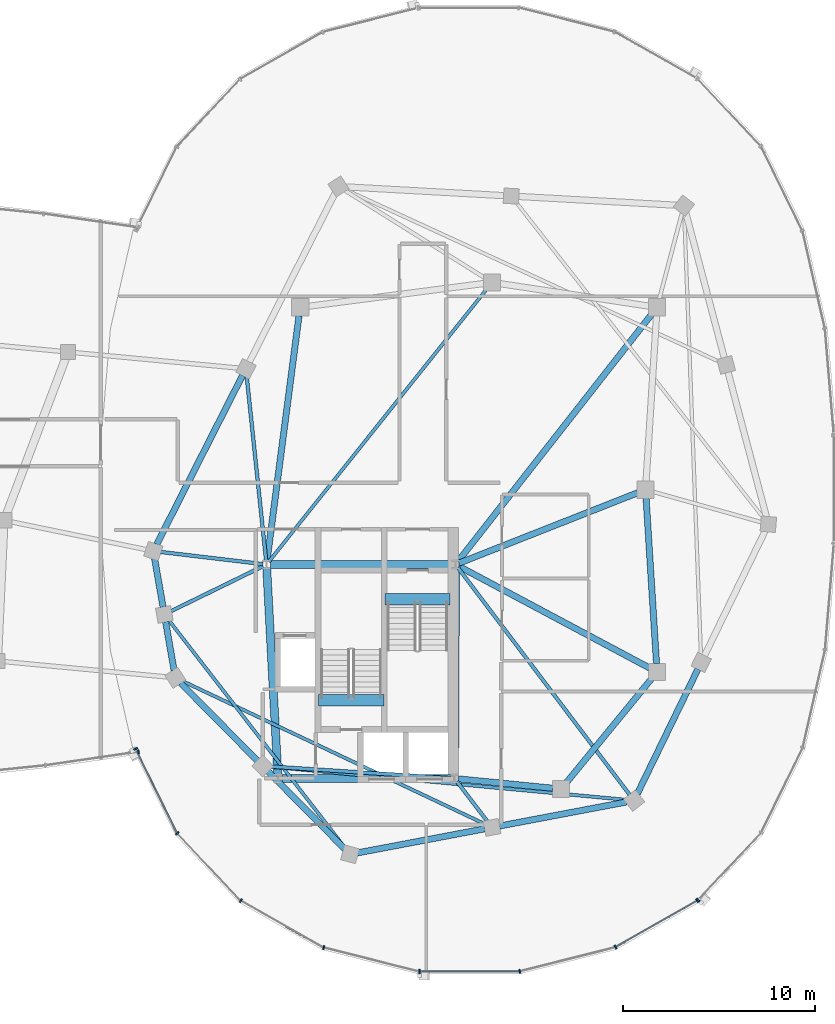
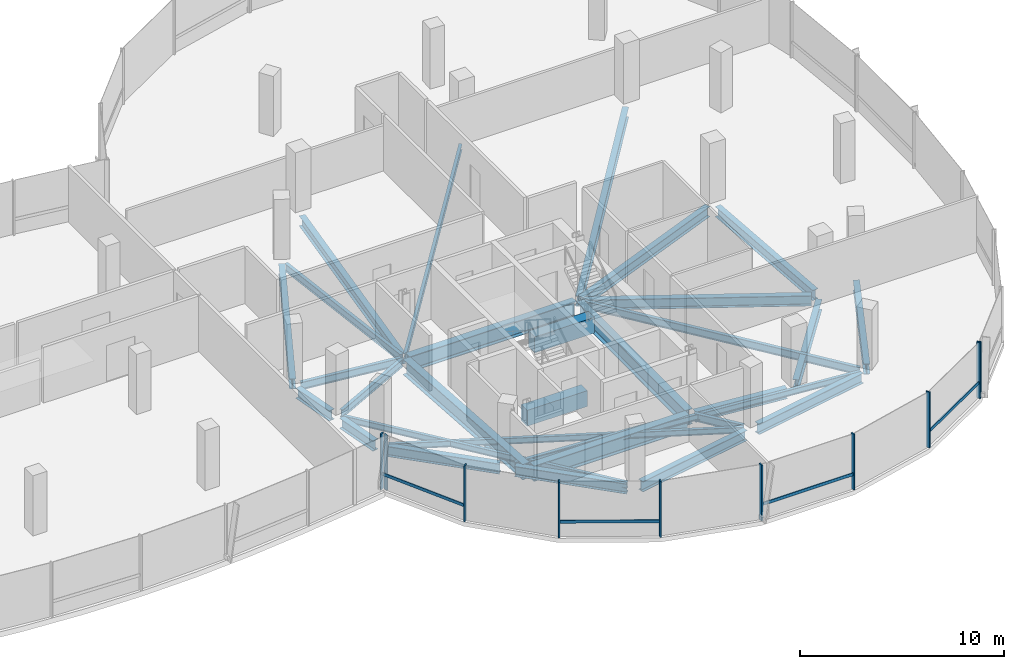
# One storey, part 8 of 25: 31 beams, 14 members, 3 elements without a shape of their own.
"""IFC4 building model written with IfcOpenShell, lengths in metres."""

from ifc_helpers import new_model, si_unit, direction, frame, origin, origin_2d, place, context, subcontext, project, spatial, rectangle, i_section, extrude, material, material_profile, profile_set, type_object, element, aggregate, save


model = new_model("IFC4")

# Units and contexts
model_context = context("Model", 3, precision=1e-05, world=origin(), true_north=direction((0.0, 1.0)))
body_context = subcontext(model_context, "Body", "Model", "MODEL_VIEW")
ifc_project = project(units=[si_unit("LENGTHUNIT", "METRE"), si_unit("AREAUNIT", "SQUARE_METRE"), si_unit("VOLUMEUNIT", "CUBIC_METRE"), si_unit("PLANEANGLEUNIT", "RADIAN"), si_unit("MASSUNIT", "GRAM", prefix="KILO"), si_unit("THERMODYNAMICTEMPERATUREUNIT", "KELVIN"), si_unit("POWERUNIT", "WATT")], contexts=[model_context])

# Site, building, storey
site_placement = place(None, origin())
site = spatial("IfcSite", under=ifc_project, at=site_placement, CompositionType="ELEMENT")
building_placement = place(site_placement, origin())
building = spatial("IfcBuilding", under=site, at=building_placement, Name="Cundina Bronze Exchange", CompositionType="ELEMENT")
storey_placement = place(building_placement, frame((0.0, 0.0, 254.0)))
storey = spatial("IfcBuildingStorey", under=building, at=storey_placement, Name="L67", CompositionType="ELEMENT", Elevation=254.0)

# Beams
ifc_material_1 = material(Name="Concrete C60/75", Category="concrete")
ifc_material_profile_1 = material_profile(ifc_material_1, rectangle(XDim=0.60009765625, YDim=0.949951171875, at=origin_2d()), Name="RC600X950", Category="concrete")
ifc_profile_set_1 = profile_set([ifc_material_profile_1], Name="Concrete C60/75")
beam_type_1 = type_object("IfcBeamType", Name="BM-COUP-RC950", PredefinedType="LINTEL", material=ifc_profile_set_1)
beam_1_placement = place(storey_placement, frame((27.6201171875, -5.719970703125, -0.47509765625), z_axis=(1.0, 0.0, 0.0), x_axis=(0.0, 1.0, 0.0)))
element("IfcBeam", 1, at=beam_1_placement, inside=storey, type_object=beam_type_1, Name="L67 Stair E1 Landing Header Beam", PredefinedType="LINTEL", context=body_context, shape_type="SweptSolid", body=[
    extrude(rectangle(XDim=0.60009765625, YDim=0.949951171875, at=origin_2d()), origin(), (0.0, 0.0, 1.0), 3.39990234375),
])
beam_2_placement = place(storey_placement, frame((24.159912109375, -10.97998046875, -0.47509765625), z_axis=(1.0, 0.0, 0.0), x_axis=(0.0, 1.0, 0.0)))
element("IfcBeam", 2, at=beam_2_placement, inside=storey, type_object=beam_type_1, Name="L67 Stair E2 Landing Header Beam", PredefinedType="LINTEL", context=body_context, shape_type="SweptSolid", body=[
    extrude(rectangle(XDim=0.60009765625, YDim=0.949951171875, at=origin_2d()), origin(), (0.0, 0.0, 1.0), 3.400146484375),
])
ifc_material_2 = material(Name="Steel ASTM A992 Grade 50", Category="steel")
ifc_material_profile_2 = material_profile(ifc_material_2, i_section(OverallWidth=0.19091796875, OverallDepth=0.4599609375, WebThickness=0.010009765625, FlangeThickness=0.01611328125, FilletRadius=0.011962890625, at=origin_2d()), Name="W18X55", Category="steel")
ifc_profile_set_2 = profile_set([ifc_material_profile_2], Name="Steel ASTM A992 Grade 50")
beam_type_2 = type_object("IfcBeamType", Name="BM-FLR-W18B", PredefinedType="BEAM", material=ifc_profile_set_2)
beam_3_placement = place(storey_placement, frame((21.25537109375, -3.876953125, -0.489990234375), z_axis=(-0.993031892142, 0.117845921393, 0.0), x_axis=(-0.117845921393, -0.993031892142, 0.0)))
element("IfcBeam", 3, at=beam_3_placement, inside=storey, type_object=beam_type_2, Name="L67 Leg E Chordal Floor Beam 00", PredefinedType="BEAM", context=body_context, shape_type="SweptSolid", body=[
    extrude(i_section(OverallWidth=0.19091796875, OverallDepth=0.4599609375, WebThickness=0.010009765625, FlangeThickness=0.01611328125, FilletRadius=0.011962890625, at=origin_2d()), origin(), (0.0, 0.0, 1.0), 5.357421875),
])
beam_4_placement = place(storey_placement, frame((21.27392578125, -3.986083984375, -0.489990234375), z_axis=(-0.898610260891, -0.438747762412, 0.0), x_axis=(0.438747762412, -0.898610260891, 0.0)))
element("IfcBeam", 4, at=beam_4_placement, inside=storey, type_object=beam_type_2, Name="L67 Leg E Chordal Floor Beam 01", PredefinedType="BEAM", context=body_context, shape_type="SweptSolid", body=[
    extrude(i_section(OverallWidth=0.19091796875, OverallDepth=0.4599609375, WebThickness=0.010009765625, FlangeThickness=0.01611328125, FilletRadius=0.011962890625, at=origin_2d()), origin(), (0.0, 0.0, 1.0), 5.341796875),
])
beam_5_placement = place(storey_placement, frame((31.054443359375, -15.037353515625, -0.489990234375), z_axis=(-0.997894580734, 0.064856809527, 0.0), x_axis=(-0.064856809527, -0.997894580734, 0.0)))
element("IfcBeam", 5, at=beam_5_placement, inside=storey, type_object=beam_type_2, Name="L67 Leg E Chordal Floor Beam 03", PredefinedType="BEAM", context=body_context, shape_type="SweptSolid", body=[
    extrude(i_section(OverallWidth=0.19091796875, OverallDepth=0.4599609375, WebThickness=0.010009765625, FlangeThickness=0.01611328125, FilletRadius=0.011962890625, at=origin_2d()), origin(), (0.0, 0.0, 1.0), 9.43701171875),
])
beam_6_placement = place(storey_placement, frame((31.369140625, -15.205810546875, -0.489990234375), z_axis=(0.607470812638, -0.794341999263, 0.0), x_axis=(0.794341999263, 0.607470812638, 0.0)))
element("IfcBeam", 6, at=beam_6_placement, inside=storey, type_object=beam_type_2, Name="L67 Leg E Chordal Floor Beam 05", PredefinedType="BEAM", context=body_context, shape_type="SweptSolid", body=[
    extrude(i_section(OverallWidth=0.19091796875, OverallDepth=0.4599609375, WebThickness=0.010009765625, FlangeThickness=0.01611328125, FilletRadius=0.011962890625, at=origin_2d()), origin(), (0.0, 0.0, 1.0), 2.6259765625),
])
beam_7_placement = place(storey_placement, frame((31.418212890625, -4.056396484375, -0.489990234375), z_axis=(0.603112871583, -0.797655855699, 0.0), x_axis=(0.797655855699, 0.603112871583, 0.0)))
element("IfcBeam", 7, at=beam_7_placement, inside=storey, type_object=beam_type_2, Name="L67 Leg E Chordal Floor Beam 06", PredefinedType="BEAM", context=body_context, shape_type="SweptSolid", body=[
    extrude(i_section(OverallWidth=0.19091796875, OverallDepth=0.4599609375, WebThickness=0.010009765625, FlangeThickness=0.01611328125, FilletRadius=0.011962890625, at=origin_2d()), origin(), (0.0, 0.0, 1.0), 14.8359375),
])
beam_8_placement = place(storey_placement, frame((21.429443359375, -3.705078125, -0.489990234375), z_axis=(-0.10480040809, 0.994493275223, 0.0), x_axis=(-0.994493275223, -0.10480040809, 0.0)))
element("IfcBeam", 8, at=beam_8_placement, inside=storey, type_object=beam_type_2, Name="L67 Leg E Chordal Floor Beam 13", PredefinedType="BEAM", context=body_context, shape_type="SweptSolid", body=[
    extrude(i_section(OverallWidth=0.19091796875, OverallDepth=0.4599609375, WebThickness=0.010009765625, FlangeThickness=0.01611328125, FilletRadius=0.011962890625, at=origin_2d()), origin(), (0.0, 0.0, 1.0), 9.67236328125),
])
ifc_material_profile_3 = material_profile(ifc_material_2, i_section(OverallWidth=0.172119140625, OverallDepth=0.35791015625, WebThickness=0.0078125, FlangeThickness=0.01318359375, FilletRadius=0.010009765625, at=origin_2d()), Name="W14X38", Category="steel")
ifc_profile_set_3 = profile_set([ifc_material_profile_3], Name="Steel ASTM A992 Grade 50")
beam_type_3 = type_object("IfcBeamType", Name="BM-JST-W14", PredefinedType="JOIST", material=ifc_profile_set_3)
beam_9_placement = place(storey_placement, frame((21.572509765625, -3.746826171875, -0.43896484375), z_axis=(0.624364266872, 0.781133319129, 0.0), x_axis=(-0.781133319129, 0.624364266872, 0.0)))
element("IfcBeam", 9, at=beam_9_placement, inside=storey, type_object=beam_type_3, Name="L67 E Interior Core-to-Ring Joist 2", PredefinedType="JOIST", context=body_context, shape_type="SweptSolid", body=[
    extrude(i_section(OverallWidth=0.172119140625, OverallDepth=0.35791015625, WebThickness=0.0078125, FlangeThickness=0.01318359375, FilletRadius=0.010009765625, at=origin_2d()), origin(), (0.0, 0.0, 1.0), 18.184814453125),
])
beam_10_placement = place(storey_placement, frame((16.362548828125, -6.806884765625, -0.43896484375), z_axis=(0.612077855816, -0.790797507849, 0.0), x_axis=(0.790797507849, 0.612077855816, 0.0)))
element("IfcBeam", 10, at=beam_10_placement, inside=storey, type_object=beam_type_3, Name="L67 Leg E Lobe Floor Joist 01-04", PredefinedType="JOIST", context=body_context, shape_type="SweptSolid", body=[
    extrude(i_section(OverallWidth=0.172119140625, OverallDepth=0.35791015625, WebThickness=0.0078125, FlangeThickness=0.01318359375, FilletRadius=0.010009765625, at=origin_2d()), origin(), (0.0, 0.0, 1.0), 15.03076171875),
])
beam_11_placement = place(storey_placement, frame((17.05078125, -9.9658203125, -0.43896484375), z_axis=(0.904073247994, -0.427377540661, 0.0), x_axis=(0.427377540661, 0.904073247994, 0.0)))
element("IfcBeam", 11, at=beam_11_placement, inside=storey, type_object=beam_type_3, Name="L67 Leg E Lobe Floor Joist 02-05", PredefinedType="JOIST", context=body_context, shape_type="SweptSolid", body=[
    extrude(i_section(OverallWidth=0.172119140625, OverallDepth=0.35791015625, WebThickness=0.0078125, FlangeThickness=0.01318359375, FilletRadius=0.010009765625, at=origin_2d()), origin(), (0.0, 0.0, 1.0), 17.474609375),
])
beam_12_placement = place(storey_placement, frame((21.63623046875, -14.435791015625, -0.43896484375), z_axis=(0.995700514338, -0.092630911398, 0.0), x_axis=(0.092630911398, 0.995700514338, 0.0)))
element("IfcBeam", 12, at=beam_12_placement, inside=storey, type_object=beam_type_3, Name="L67 Leg E Lobe Floor Joist 03-06", PredefinedType="JOIST", context=body_context, shape_type="SweptSolid", body=[
    extrude(i_section(OverallWidth=0.172119140625, OverallDepth=0.35791015625, WebThickness=0.0078125, FlangeThickness=0.01318359375, FilletRadius=0.010009765625, at=origin_2d()), origin(), (0.0, 0.0, 1.0), 18.65771484375),
])
ifc_material_profile_4 = material_profile(ifc_material_2, i_section(OverallWidth=0.324951171875, OverallDepth=0.615966796875, WebThickness=0.013916015625, FlangeThickness=0.021484375, FilletRadius=0.01611328125, at=origin_2d()), Name="W24X117", Category="steel")
ifc_profile_set_4 = profile_set([ifc_material_profile_4], Name="Steel ASTM A992 Grade 50")
beam_type_4 = type_object("IfcBeamType", Name="BM-RING-W24", PredefinedType="USERDEFINED", material=ifc_profile_set_4)
beam_13_placement = place(storey_placement, frame((31.445068359375, -15.0693359375, -0.568115234375), z_axis=(0.995123854478, -0.09863323096, 0.0), x_axis=(0.09863323096, 0.995123854478, 0.0)))
element("IfcBeam", 13, at=beam_13_placement, inside=storey, type_object=beam_type_4, Name="L67 E Inner Structural Ring Girder 01", ObjectType="GIRDER", PredefinedType="USERDEFINED", context=body_context, shape_type="SweptSolid", body=[
    extrude(i_section(OverallWidth=0.324951171875, OverallDepth=0.615966796875, WebThickness=0.013916015625, FlangeThickness=0.021484375, FilletRadius=0.01611328125, at=origin_2d()), origin(), (0.0, 0.0, 1.0), 4.943115234375),
])
beam_14_placement = place(storey_placement, frame((37.07763671875, -15.26123046875, -0.568115234375), z_axis=(0.633912590175, 0.77340469873, 0.0), x_axis=(-0.77340469873, 0.633912590175, 0.0)))
element("IfcBeam", 14, at=beam_14_placement, inside=storey, type_object=beam_type_4, Name="L67 E Inner Structural Ring Girder 02", ObjectType="GIRDER", PredefinedType="USERDEFINED", context=body_context, shape_type="SweptSolid", body=[
    extrude(i_section(OverallWidth=0.324951171875, OverallDepth=0.615966796875, WebThickness=0.013916015625, FlangeThickness=0.021484375, FilletRadius=0.01611328125, at=origin_2d()), origin(), (0.0, 0.0, 1.0), 7.01123046875),
])
beam_15_placement = place(storey_placement, frame((41.7724609375, -9.06298828125, -0.568115234375), z_axis=(-0.063046519736, 0.998010589297, 0.0), x_axis=(-0.998010589297, -0.063046519736, 0.0)))
element("IfcBeam", 15, at=beam_15_placement, inside=storey, type_object=beam_type_4, Name="L67 E Inner Structural Ring Girder 03", ObjectType="GIRDER", PredefinedType="USERDEFINED", context=body_context, shape_type="SweptSolid", body=[
    extrude(i_section(OverallWidth=0.324951171875, OverallDepth=0.615966796875, WebThickness=0.013916015625, FlangeThickness=0.021484375, FilletRadius=0.01611328125, at=origin_2d()), origin(), (0.0, 0.0, 1.0), 8.64306640625),
])
beam_16_placement = place(storey_placement, frame((23.143310546875, 9.065673828125, -0.568115234375), z_axis=(-0.129501251979, -0.991579258424, 0.0), x_axis=(0.991579258424, -0.129501251979, 0.0)))
element("IfcBeam", 16, at=beam_16_placement, inside=storey, type_object=beam_type_4, Name="L67 E Inner Structural Ring Girder 07", ObjectType="GIRDER", PredefinedType="USERDEFINED", context=body_context, shape_type="SweptSolid", body=[
    extrude(i_section(OverallWidth=0.324951171875, OverallDepth=0.615966796875, WebThickness=0.013916015625, FlangeThickness=0.021484375, FilletRadius=0.01611328125, at=origin_2d()), origin(), (0.0, 0.0, 1.0), 12.8798828125),
])
beam_17_placement = place(storey_placement, frame((31.482421875, -3.828125, -0.568115234375), z_axis=(0.930404106569, 0.366535398673, 0.0), x_axis=(-0.366535398673, 0.930404106569, 0.0)))
element("IfcBeam", 17, at=beam_17_placement, inside=storey, type_object=beam_type_4, Name="L67 E Core-to-Waist Tie Beam 1", ObjectType="GIRDER", PredefinedType="USERDEFINED", context=body_context, shape_type="SweptSolid", body=[
    extrude(i_section(OverallWidth=0.324951171875, OverallDepth=0.615966796875, WebThickness=0.013916015625, FlangeThickness=0.021484375, FilletRadius=0.01611328125, at=origin_2d()), origin(), (0.0, 0.0, 1.0), 10.00634765625),
])
beam_18_placement = place(storey_placement, frame((31.472900390625, -3.9921875, -0.568115234375), z_axis=(0.882350541683, -0.470592734317, 0.0), x_axis=(0.470592734317, 0.882350541683, 0.0)))
element("IfcBeam", 18, at=beam_18_placement, inside=storey, type_object=beam_type_4, Name="L67 E Core-to-Waist Tie Beam 2", ObjectType="GIRDER", PredefinedType="USERDEFINED", context=body_context, shape_type="SweptSolid", body=[
    extrude(i_section(OverallWidth=0.324951171875, OverallDepth=0.615966796875, WebThickness=0.013916015625, FlangeThickness=0.021484375, FilletRadius=0.01611328125, at=origin_2d()), origin(), (0.0, 0.0, 1.0), 11.26611328125),
])
beam_19_placement = place(storey_placement, frame((31.4208984375, -3.74560546875, -0.568115234375), z_axis=(0.616782900053, 0.787133314123, 0.0), x_axis=(-0.787133314123, 0.616782900053, 0.0)))
element("IfcBeam", 19, at=beam_19_placement, inside=storey, type_object=beam_type_4, Name="L67 E Core-to-Waist Tie Beam 3", ObjectType="GIRDER", PredefinedType="USERDEFINED", context=body_context, shape_type="SweptSolid", body=[
    extrude(i_section(OverallWidth=0.324951171875, OverallDepth=0.615966796875, WebThickness=0.013916015625, FlangeThickness=0.021484375, FilletRadius=0.01611328125, at=origin_2d()), origin(), (0.0, 0.0, 1.0), 16.3896484375),
])
for number, where, z_axis, x_axis, name in (
    (20, (15.61669921875, -3.582275390625, -0.568115234375), (0.171593362587, -0.985167862811, 0.0), (0.985167862811, 0.171593362587, 0.0), "L67 E Perimeter Ring Girder 00"),
    (21, (16.191650390625, -6.882080078125, -0.568115234375), (0.171593362587, -0.985167862811, 0.0), (0.985167862811, 0.171593362587, 0.0), "L67 E Perimeter Ring Girder 01"),
):
    element("IfcBeam", number, at=place(storey_placement, frame(where, z_axis=z_axis, x_axis=x_axis)), inside=storey, type_object=beam_type_4, Name=name, ObjectType="GIRDER", PredefinedType="USERDEFINED", context=body_context, shape_type="SweptSolid", body=[
        extrude(i_section(OverallWidth=0.324951171875, OverallDepth=0.615966796875, WebThickness=0.013916015625, FlangeThickness=0.021484375, FilletRadius=0.01611328125, at=origin_2d()), origin(), (0.0, 0.0, 1.0), 2.57373046875),
    ])
beam_20_placement = place(storey_placement, frame((16.972900390625, -10.075927734375, -0.568115234375), z_axis=(0.703237257446, -0.710955244541, 0.0), x_axis=(0.710955244541, 0.703237257446, 0.0)))
element("IfcBeam", 22, at=beam_20_placement, inside=storey, type_object=beam_type_4, Name="L67 E Perimeter Ring Girder 02", ObjectType="GIRDER", PredefinedType="USERDEFINED", context=body_context, shape_type="SweptSolid", body=[
    extrude(i_section(OverallWidth=0.324951171875, OverallDepth=0.615966796875, WebThickness=0.013916015625, FlangeThickness=0.021484375, FilletRadius=0.01611328125, at=origin_2d()), origin(), (0.0, 0.0, 1.0), 5.69384765625),
])
beam_21_placement = place(storey_placement, frame((21.52294921875, -14.67578125, -0.568115234375), z_axis=(0.703215820204, -0.710976448425, 0.0), x_axis=(0.710976448425, 0.703215820204, 0.0)))
element("IfcBeam", 23, at=beam_21_placement, inside=storey, type_object=beam_type_4, Name="L67 E Perimeter Ring Girder 03", ObjectType="GIRDER", PredefinedType="USERDEFINED", context=body_context, shape_type="SweptSolid", body=[
    extrude(i_section(OverallWidth=0.324951171875, OverallDepth=0.615966796875, WebThickness=0.013916015625, FlangeThickness=0.021484375, FilletRadius=0.01611328125, at=origin_2d()), origin(), (0.0, 0.0, 1.0), 5.694091796875),
])
beam_22_placement = place(storey_placement, frame((26.18115234375, -18.927978515625, -0.568115234375), z_axis=(0.982568104771, 0.185902984072, 0.0), x_axis=(-0.185902984072, 0.982568104771, 0.0)))
element("IfcBeam", 24, at=beam_22_placement, inside=storey, type_object=beam_type_4, Name="L67 E Perimeter Ring Girder 04", ObjectType="GIRDER", PredefinedType="USERDEFINED", context=body_context, shape_type="SweptSolid", body=[
    extrude(i_section(OverallWidth=0.324951171875, OverallDepth=0.615966796875, WebThickness=0.013916015625, FlangeThickness=0.021484375, FilletRadius=0.01611328125, at=origin_2d()), origin(), (0.0, 0.0, 1.0), 6.75537109375),
])
beam_23_placement = place(storey_placement, frame((33.581298828125, -17.52783203125, -0.568115234375), z_axis=(0.982573456977, 0.185874693392, 0.0), x_axis=(-0.185874693392, 0.982573456977, 0.0)))
element("IfcBeam", 25, at=beam_23_placement, inside=storey, type_object=beam_type_4, Name="L67 E Perimeter Ring Girder 05", ObjectType="GIRDER", PredefinedType="USERDEFINED", context=body_context, shape_type="SweptSolid", body=[
    extrude(i_section(OverallWidth=0.324951171875, OverallDepth=0.615966796875, WebThickness=0.013916015625, FlangeThickness=0.021484375, FilletRadius=0.01611328125, at=origin_2d()), origin(), (0.0, 0.0, 1.0), 6.755126953125),
])
beam_24_placement = place(storey_placement, frame((40.76953125, -15.85107421875, -0.568115234375), z_axis=(0.437216986791, 0.899356050995, 0.0), x_axis=(-0.899356050995, 0.437216986791, 0.0)))
element("IfcBeam", 26, at=beam_24_placement, inside=storey, type_object=beam_type_4, Name="L67 E Perimeter Ring Girder 06", ObjectType="GIRDER", PredefinedType="USERDEFINED", context=body_context, shape_type="SweptSolid", body=[
    extrude(i_section(OverallWidth=0.324951171875, OverallDepth=0.615966796875, WebThickness=0.013916015625, FlangeThickness=0.021484375, FilletRadius=0.01611328125, at=origin_2d()), origin(), (0.0, 0.0, 1.0), 7.2294921875),
])
beam_25_placement = place(storey_placement, frame((20.19921875, 5.9541015625, -0.568115234375), z_axis=(-0.452839263805, -0.891592171991, 0.0), x_axis=(0.891592171991, -0.452839263805, 0.0)))
element("IfcBeam", 27, at=beam_25_placement, inside=storey, type_object=beam_type_4, Name="L67 E Perimeter Ring Girder 13", ObjectType="GIRDER", PredefinedType="USERDEFINED", context=body_context, shape_type="SweptSolid", body=[
    extrude(i_section(OverallWidth=0.324951171875, OverallDepth=0.615966796875, WebThickness=0.013916015625, FlangeThickness=0.021484375, FilletRadius=0.01611328125, at=origin_2d()), origin(), (0.0, 0.0, 1.0), 9.879150390625),
])
ifc_material_profile_5 = material_profile(ifc_material_2, i_section(OverallWidth=0.41796875, OverallDepth=0.927001953125, WebThickness=0.019287109375, FlangeThickness=0.031982421875, FilletRadius=0.02392578125, at=origin_2d()), Name="W36X231", Category="steel")
ifc_profile_set_5 = profile_set([ifc_material_profile_5], Name="Steel ASTM A992 Grade 50")
beam_type_5 = type_object("IfcBeamType", Name="BM-WRN-W36B", PredefinedType="USERDEFINED", material=ifc_profile_set_5)
beam_26_placement = place(storey_placement, frame((31.10400390625, -3.89990234375, -0.723388671875), z_axis=(-1.0, 0.0, 0.0), x_axis=(0.0, -1.0, 0.0)))
element("IfcBeam", 28, at=beam_26_placement, inside=storey, type_object=beam_type_5, Name="L67 E Core Perimeter Tie Girder 1", ObjectType="GIRDER", PredefinedType="USERDEFINED", context=body_context, shape_type="SweptSolid", body=[
    extrude(i_section(OverallWidth=0.41796875, OverallDepth=0.927001953125, WebThickness=0.019287109375, FlangeThickness=0.031982421875, FilletRadius=0.02392578125, at=origin_2d()), origin(), (0.0, 0.0, 1.0), 9.4580078125),
])
beam_27_placement = place(storey_placement, frame((21.46044921875, -4.095703125, -0.723388671875), z_axis=(0.053749317644, -0.998554460634, 0.0), x_axis=(0.998554460634, 0.053749317644, 0.0)))
element("IfcBeam", 29, at=beam_27_placement, inside=storey, type_object=beam_type_5, Name="L67 E Core Perimeter Tie Girder 2", ObjectType="GIRDER", PredefinedType="USERDEFINED", context=body_context, shape_type="SweptSolid", body=[
    extrude(i_section(OverallWidth=0.41796875, OverallDepth=0.927001953125, WebThickness=0.019287109375, FlangeThickness=0.031982421875, FilletRadius=0.02392578125, at=origin_2d()), origin(), (0.0, 0.0, 1.0), 10.774169921875),
])
beam_28_placement = place(storey_placement, frame((22.24609375, -15.050048828125, -0.723388671875), z_axis=(1.0, 0.0, 0.0), x_axis=(0.0, 1.0, 0.0)))
element("IfcBeam", 30, at=beam_28_placement, inside=storey, type_object=beam_type_5, Name="L67 E Core Perimeter Tie Girder 3", ObjectType="GIRDER", PredefinedType="USERDEFINED", context=body_context, shape_type="SweptSolid", body=[
    extrude(i_section(OverallWidth=0.41796875, OverallDepth=0.927001953125, WebThickness=0.019287109375, FlangeThickness=0.031982421875, FilletRadius=0.02392578125, at=origin_2d()), origin(), (0.0, 0.0, 1.0), 8.807861328125),
])
beam_29_placement = place(storey_placement, frame((31.2509765625, -14.85400390625, -0.723388671875), z_axis=(0.004470623654, 0.999990006712, 0.0), x_axis=(-0.999990006712, 0.004470623654, 0.0)))
element("IfcBeam", 31, at=beam_29_placement, inside=storey, type_object=beam_type_5, Name="L67 E Core Perimeter Tie Girder 4", ObjectType="GIRDER", PredefinedType="USERDEFINED", context=body_context, shape_type="SweptSolid", body=[
    extrude(i_section(OverallWidth=0.41796875, OverallDepth=0.927001953125, WebThickness=0.019287109375, FlangeThickness=0.031982421875, FilletRadius=0.02392578125, at=origin_2d()), origin(), (0.0, 0.0, 1.0), 10.758056640625),
])

# Curtain wall, members
ifc_material_3 = material(Name="Anodised Bronze Aluminium 6063-T6", Category="aluminium")
curtain_wall_type = type_object("IfcCurtainWallType", Name="CWS-SKG-BRG", PredefinedType="NOTDEFINED", material=ifc_material_3)
curtain_wall_1_placement = place(storey_placement, origin())
curtain_wall_1 = element("IfcCurtainWall", 32, at=curtain_wall_1_placement, inside=storey, type_object=curtain_wall_type, Name="L67 CW-06 Curtain Wall Run CWR-L67-E3", PredefinedType="NOTDEFINED")
ifc_material_profile_6 = material_profile(ifc_material_3, rectangle(XDim=0.074951171875, YDim=0.219970703125, at=origin_2d()), Name="AL75X220", Category="aluminium")
ifc_profile_set_6 = profile_set([ifc_material_profile_6], Name="Anodised Bronze Aluminium 6063-T6")
member_type_1 = type_object("IfcMemberType", Name="CWM-MUL-220", PredefinedType="MULLION", material=ifc_profile_set_6)
member_1_placement = place(storey_placement, frame((14.630859375, -13.50390625, 0.0), z_axis=(0.0, 0.0, 1.0), x_axis=(0.440566004113, -0.897720221461, 0.0)))
member_1 = element("IfcMember", 33, at=member_1_placement, type_object=member_type_1, Name="CW-06 Mullion 1", PredefinedType="MULLION", context=body_context, shape_type="SweptSolid", body=[
    extrude(rectangle(XDim=0.074951171875, YDim=0.219970703125, at=origin_2d()), origin(), (0.0, 0.0, 1.0), 3.340087890625),
])
member_2_placement = place(storey_placement, frame((16.8037109375, -17.910400390625, 0.0), z_axis=(0.0, 0.0, 1.0), x_axis=(0.684292606175, -0.729207535023, 0.0)))
member_2 = element("IfcMember", 34, at=member_2_placement, type_object=member_type_1, Name="CW-06 Mullion 2", PredefinedType="MULLION", context=body_context, shape_type="SweptSolid", body=[
    extrude(rectangle(XDim=0.074951171875, YDim=0.219970703125, at=origin_2d()), origin(), (0.0, 0.0, 1.0), 3.340087890625),
])
member_3_placement = place(storey_placement, frame((20.11083984375, -21.419921875, 0.0), z_axis=(0.0, 0.0, 1.0), x_axis=(0.86958112538, -0.493790103568, 0.0)))
member_3 = element("IfcMember", 35, at=member_3_placement, type_object=member_type_1, Name="CW-06 Mullion 3", PredefinedType="MULLION", context=body_context, shape_type="SweptSolid", body=[
    extrude(rectangle(XDim=0.074951171875, YDim=0.219970703125, at=origin_2d()), origin(), (0.0, 0.0, 1.0), 3.340087890625),
])
member_4_placement = place(storey_placement, frame((24.4296875, -23.86181640625, 0.0), z_axis=(0.0, 0.0, 1.0), x_axis=(0.969744325821, -0.244122802168, 0.0)))
member_4 = element("IfcMember", 36, at=member_4_placement, type_object=member_type_1, Name="CW-06 Mullion 4", PredefinedType="MULLION", context=body_context, shape_type="SweptSolid", body=[
    extrude(rectangle(XDim=0.074951171875, YDim=0.219970703125, at=origin_2d()), origin(), (0.0, 0.0, 1.0), 3.340087890625),
])
member_5_placement = place(storey_placement, frame((29.423583984375, -25.110107421875, 0.0), z_axis=(0.0, 0.0, 1.0), x_axis=(1.0, 0.0, 0.0)))
member_5 = element("IfcMember", 37, at=member_5_placement, type_object=member_type_1, Name="CW-06 Mullion 5", PredefinedType="MULLION", context=body_context, shape_type="SweptSolid", body=[
    extrude(rectangle(XDim=0.074951171875, YDim=0.219970703125, at=origin_2d()), origin(), (0.0, 0.0, 1.0), 3.340087890625),
])
member_6_placement = place(storey_placement, frame((34.648193359375, -25.10107421875, 0.0), z_axis=(0.0, 0.0, 1.0), x_axis=(0.969744325821, 0.244122802168, 0.0)))
member_6 = element("IfcMember", 38, at=member_6_placement, type_object=member_type_1, Name="CW-06 Mullion 6", PredefinedType="MULLION", context=body_context, shape_type="SweptSolid", body=[
    extrude(rectangle(XDim=0.074951171875, YDim=0.219970703125, at=origin_2d()), origin(), (0.0, 0.0, 1.0), 3.340087890625),
])
member_7_placement = place(storey_placement, frame((39.634521484375, -23.8359375, 0.0), z_axis=(0.0, 0.0, 1.0), x_axis=(0.86958112538, 0.493790103568, 0.0)))
member_7 = element("IfcMember", 39, at=member_7_placement, type_object=member_type_1, Name="CW-06 Mullion 7", PredefinedType="MULLION", context=body_context, shape_type="SweptSolid", body=[
    extrude(rectangle(XDim=0.074951171875, YDim=0.219970703125, at=origin_2d()), origin(), (0.0, 0.0, 1.0), 3.340087890625),
])
member_8_placement = place(storey_placement, frame((43.88916015625, -21.419921875, 0.0), z_axis=(0.0, 0.0, 1.0), x_axis=(0.86958112538, 0.493790103568, 0.0)))
member_8 = element("IfcMember", 40, at=member_8_placement, type_object=member_type_1, Name="CW-06 End Mullion", PredefinedType="MULLION", context=body_context, shape_type="SweptSolid", body=[
    extrude(rectangle(XDim=0.074951171875, YDim=0.219970703125, at=origin_2d()), origin(), (0.0, 0.0, 1.0), 3.340087890625),
])

# Curtain wall, member
curtain_wall_2_placement = place(storey_placement, origin())
curtain_wall_2 = element("IfcCurtainWall", 41, at=curtain_wall_2_placement, inside=storey, type_object=curtain_wall_type, Name="L67 CW-06 Curtain Wall Run CWR-L67-E4", PredefinedType="NOTDEFINED")
member_9_placement = place(storey_placement, frame((43.940185546875, -21.3798828125, 0.0), z_axis=(0.0, 0.0, 1.0), x_axis=(0.684292606175, 0.729207535023, 0.0)))
member_9 = element("IfcMember", 42, at=member_9_placement, type_object=member_type_1, Name="CW-06 Mullion 1", PredefinedType="MULLION", context=body_context, shape_type="SweptSolid", body=[
    extrude(rectangle(XDim=0.074951171875, YDim=0.219970703125, at=origin_2d()), origin(), (0.0, 0.0, 1.0), 3.340087890625),
])
aggregate(curtain_wall_2, [member_9])

curtain_wall_3_placement = place(storey_placement, origin())
curtain_wall_3 = element("IfcCurtainWall", 43, at=curtain_wall_3_placement, inside=storey, type_object=curtain_wall_type, Name="L67 CW-06 Curtain Wall Run CWR-L67-BRGS", PredefinedType="NOTDEFINED")
member_10_placement = place(storey_placement, frame((14.779296875, -13.658935546875, 0.0), z_axis=(0.0, 0.0, 1.0), x_axis=(0.989525789069, 0.144356201001, 0.0)))
member_10 = element("IfcMember", 44, at=member_10_placement, type_object=member_type_1, Name="CW-06 End Mullion", PredefinedType="MULLION", context=body_context, shape_type="SweptSolid", body=[
    extrude(rectangle(XDim=0.074951171875, YDim=0.219970703125, at=origin_2d()), origin(), (0.0, 0.0, 1.0), 3.280029296875),
])
aggregate(curtain_wall_3, [member_10])

# Member
ifc_material_profile_7 = material_profile(ifc_material_3, rectangle(XDim=0.070068359375, YDim=0.179931640625, at=origin_2d()), Name="AL70X180", Category="aluminium")
ifc_profile_set_7 = profile_set([ifc_material_profile_7], Name="Anodised Bronze Aluminium 6063-T6")
member_type_2 = type_object("IfcMemberType", Name="CWM-TRN-180", PredefinedType="USERDEFINED", material=ifc_profile_set_7)
member_11_placement = place(storey_placement, frame((14.64892578125, -13.541015625, 0.919921875), z_axis=(0.440554408939, -0.897725911826, 0.0), x_axis=(0.897725911826, 0.440554408939, 0.0)))
member_11 = element("IfcMember", 45, at=member_11_placement, type_object=member_type_2, Name="CW-06 Spandrel Transom 1", ObjectType="TRANSOM", PredefinedType="USERDEFINED", context=body_context, shape_type="SweptSolid", body=[
    extrude(rectangle(XDim=0.070068359375, YDim=0.179931640625, at=origin_2d()), origin(), (0.0, 0.0, 1.0), 4.848388671875),
])

member_12_placement = place(storey_placement, frame((20.146728515625, -21.440185546875, 0.919921875), z_axis=(0.869557366176, -0.493831941989, 0.0), x_axis=(0.493831941989, 0.869557366176, 0.0)))
member_12 = element("IfcMember", 46, at=member_12_placement, type_object=member_type_2, Name="CW-06 Spandrel Transom 3", ObjectType="TRANSOM", PredefinedType="USERDEFINED", context=body_context, shape_type="SweptSolid", body=[
    extrude(rectangle(XDim=0.070068359375, YDim=0.179931640625, at=origin_2d()), origin(), (0.0, 0.0, 1.0), 4.892822265625),
])

member_13_placement = place(storey_placement, frame((29.464599609375, -25.110107421875, 0.919921875), z_axis=(1.0, 0.0, 0.0), x_axis=(0.0, 1.0, 0.0)))
member_13 = element("IfcMember", 47, at=member_13_placement, type_object=member_type_2, Name="CW-06 Spandrel Transom 5", ObjectType="TRANSOM", PredefinedType="USERDEFINED", context=body_context, shape_type="SweptSolid", body=[
    extrude(rectangle(XDim=0.070068359375, YDim=0.179931640625, at=origin_2d()), origin(), (0.0, 0.0, 1.0), 5.1533203125),
])

member_14_placement = place(storey_placement, frame((39.67041015625, -23.815673828125, 0.919921875), z_axis=(0.869558105282, 0.493830640542, 0.0), x_axis=(-0.493830640542, 0.869558105282, 0.0)))
member_14 = element("IfcMember", 48, at=member_14_placement, type_object=member_type_2, Name="CW-06 Spandrel Transom 7", ObjectType="TRANSOM", PredefinedType="USERDEFINED", context=body_context, shape_type="SweptSolid", body=[
    extrude(rectangle(XDim=0.070068359375, YDim=0.179931640625, at=origin_2d()), origin(), (0.0, 0.0, 1.0), 4.810302734375),
])

aggregate(curtain_wall_1, [member_1, member_11, member_2, member_3, member_12, member_4, member_5, member_13, member_6, member_7, member_8, member_14])

save(model, "model.ifc")
